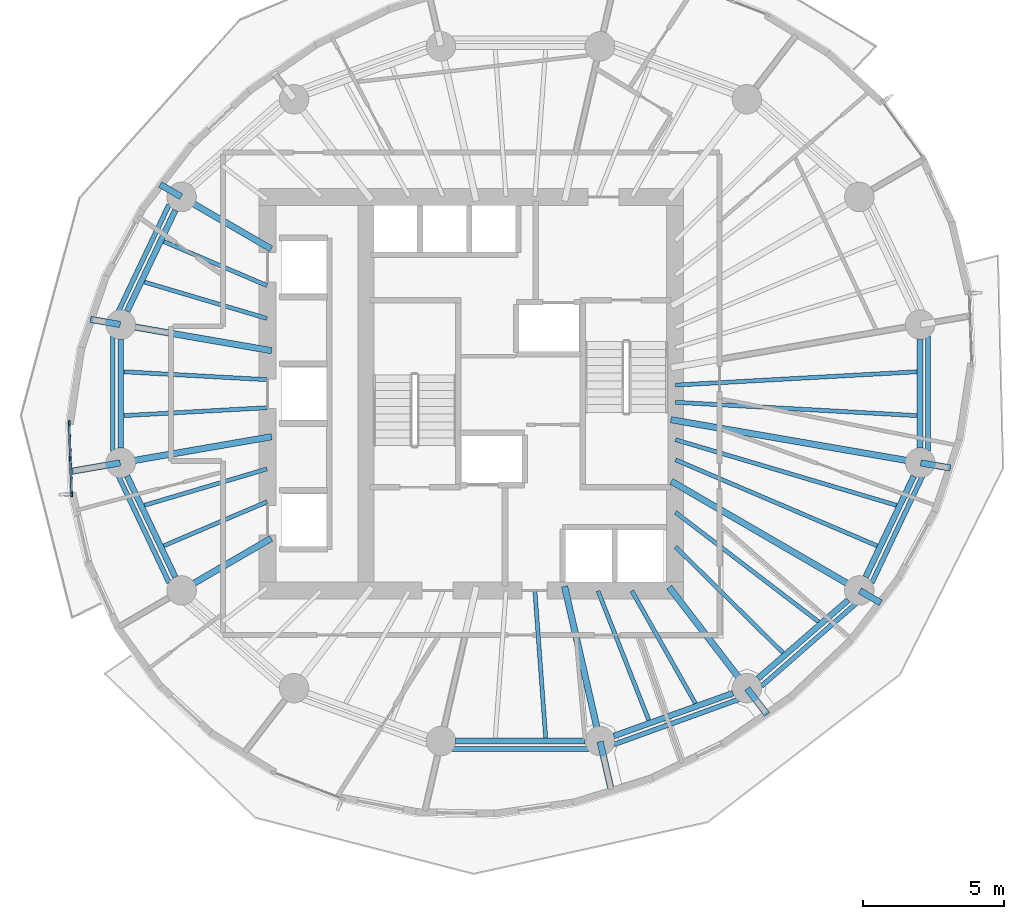
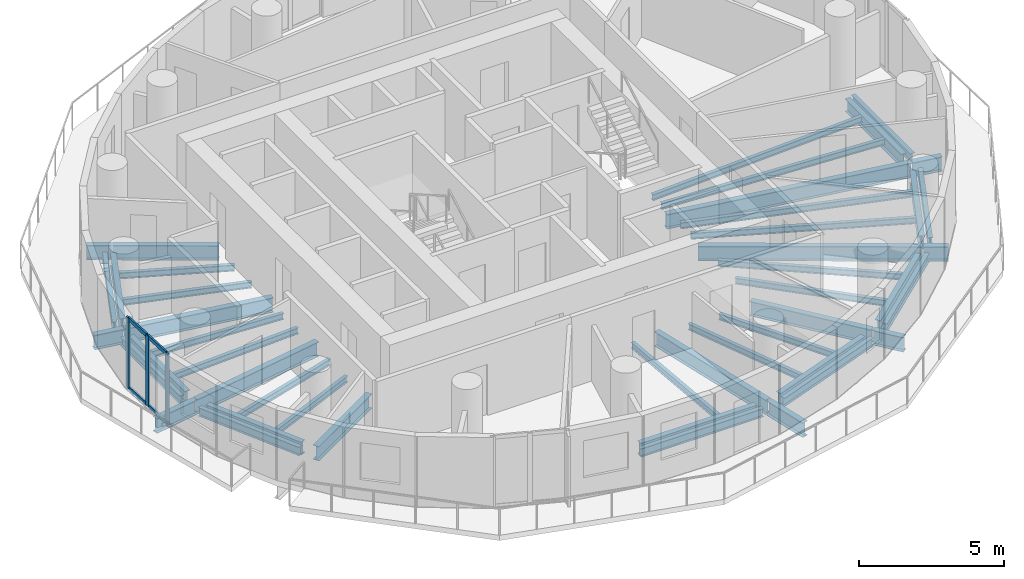
# One storey, part 2 of 14: 46 beams, 7 members, 1 element without a shape of its own.
"""IFC4 building model written with IfcOpenShell, lengths in metres."""

from ifc_helpers import new_model, si_unit, direction, frame, origin, origin_2d, place, context, subcontext, project, spatial, rectangle, i_section, extrude, material, material_profile, profile_set, type_object, element, aggregate, save


model = new_model("IFC4")

# Units and contexts
model_context = context("Model", 3, precision=1e-05, world=origin(), true_north=direction((0.0, 1.0)))
body_context = subcontext(model_context, "Body", "Model", "MODEL_VIEW")
ifc_project = project(units=[si_unit("LENGTHUNIT", "METRE"), si_unit("AREAUNIT", "SQUARE_METRE"), si_unit("VOLUMEUNIT", "CUBIC_METRE"), si_unit("PLANEANGLEUNIT", "RADIAN"), si_unit("MASSUNIT", "GRAM", prefix="KILO")], contexts=[model_context])

# Site, building, storey
site_placement = place(None, origin())
site = spatial("IfcSite", under=ifc_project, at=site_placement, CompositionType="ELEMENT")
building_placement = place(site_placement, origin())
building = spatial("IfcBuilding", under=site, at=building_placement, Name="Veldorim Arch Residences", CompositionType="ELEMENT")
storey_placement = place(building_placement, frame((0.0, 0.0, 123.360107421875)))
storey = spatial("IfcBuildingStorey", under=building, at=storey_placement, Name="L36", CompositionType="ELEMENT", Elevation=123.360107421875)

# Beams
ifc_material_1 = material(Name="Steel S355", Category="steel")
ifc_material_profile_1 = material_profile(ifc_material_1, i_section(OverallWidth=0.2099609375, OverallDepth=0.53662109375, WebThickness=0.0107421875, FlangeThickness=0.017333984375, at=origin_2d()), Name="UB533x210x101")
ifc_profile_set_1 = profile_set([ifc_material_profile_1], Name="Steel S355")
beam_type_1 = type_object("IfcBeamType", Name="Structural Steel Beam UB533x210x101", PredefinedType="BEAM", material=ifc_profile_set_1)
beam_1_placement = place(storey_placement, frame((19.7177734375, 30.5263671875, -0.50830078125), z_axis=(-0.43028577851, -0.902692721147, 0.0), x_axis=(0.902692721147, -0.43028577851, 0.0)))
element("IfcBeam", 1, at=beam_1_placement, inside=storey, type_object=beam_type_1, Name="L36 perimeter ring tie beam 07", PredefinedType="BEAM", context=body_context, shape_type="SweptSolid", body=[
    extrude(i_section(OverallWidth=0.2099609375, OverallDepth=0.53662109375, WebThickness=0.0107421875, FlangeThickness=0.017333984375, at=origin_2d()), origin(), (0.0, 0.0, 1.0), 3.98193359375),
])
beam_2_placement = place(storey_placement, frame((17.778564453125, 25.93310546875, -0.50830078125), z_axis=(0.0, -1.0, 0.0), x_axis=(1.0, 0.0, 0.0)))
element("IfcBeam", 2, at=beam_2_placement, inside=storey, type_object=beam_type_1, Name="L36 perimeter ring tie beam 08", PredefinedType="BEAM", context=body_context, shape_type="SweptSolid", body=[
    extrude(i_section(OverallWidth=0.2099609375, OverallDepth=0.53662109375, WebThickness=0.0107421875, FlangeThickness=0.017333984375, at=origin_2d()), origin(), (0.0, 0.0, 1.0), 3.8662109375),
])
beam_3_placement = place(storey_placement, frame((18.00439453125, 21.068115234375, -0.50830078125), z_axis=(0.43028577851, -0.902692721147, 0.0), x_axis=(0.902692721147, 0.43028577851, 0.0)))
element("IfcBeam", 3, at=beam_3_placement, inside=storey, type_object=beam_type_1, Name="L36 perimeter ring tie beam 09", PredefinedType="BEAM", context=body_context, shape_type="SweptSolid", body=[
    extrude(i_section(OverallWidth=0.2099609375, OverallDepth=0.53662109375, WebThickness=0.0107421875, FlangeThickness=0.017333984375, at=origin_2d()), origin(), (0.0, 0.0, 1.0), 3.98193359375),
])
beam_4_placement = place(storey_placement, frame((29.6962890625, 11.64208984375, -0.50830078125), z_axis=(1.0, 0.0, 0.0), x_axis=(0.0, 1.0, 0.0)))
element("IfcBeam", 4, at=beam_4_placement, inside=storey, type_object=beam_type_1, Name="L36 perimeter ring tie beam 12", PredefinedType="BEAM", context=body_context, shape_type="SweptSolid", body=[
    extrude(i_section(OverallWidth=0.2099609375, OverallDepth=0.53662109375, WebThickness=0.0107421875, FlangeThickness=0.017333984375, at=origin_2d()), origin(), (0.0, 0.0, 1.0), 4.607421875),
])
beam_5_placement = place(storey_placement, frame((35.32275390625, 11.81982421875, -0.50830078125), z_axis=(0.940899155006, 0.338686846673, 0.0), x_axis=(-0.338686846673, 0.940899155006, 0.0)))
element("IfcBeam", 5, at=beam_5_placement, inside=storey, type_object=beam_type_1, Name="L36 perimeter ring tie beam 13", PredefinedType="BEAM", context=body_context, shape_type="SweptSolid", body=[
    extrude(i_section(OverallWidth=0.2099609375, OverallDepth=0.53662109375, WebThickness=0.0107421875, FlangeThickness=0.017333984375, at=origin_2d()), origin(), (0.0, 0.0, 1.0), 4.50537109375),
])
beam_6_placement = place(storey_placement, frame((40.4521484375, 13.867919921875, -0.50830078125), z_axis=(0.754810789581, 0.655942582802, 0.0), x_axis=(-0.655942582802, 0.754810789581, 0.0)))
element("IfcBeam", 6, at=beam_6_placement, inside=storey, type_object=beam_type_1, Name="L36 perimeter ring tie beam 14", PredefinedType="BEAM", context=body_context, shape_type="SweptSolid", body=[
    extrude(i_section(OverallWidth=0.2099609375, OverallDepth=0.53662109375, WebThickness=0.0107421875, FlangeThickness=0.017333984375, at=origin_2d()), origin(), (0.0, 0.0, 1.0), 4.249755859375),
])
beam_7_placement = place(storey_placement, frame((44.2822265625, 17.4736328125, -0.50830078125), z_axis=(0.43028577851, 0.902692721147, 0.0), x_axis=(-0.902692721147, 0.43028577851, 0.0)))
element("IfcBeam", 7, at=beam_7_placement, inside=storey, type_object=beam_type_1, Name="L36 perimeter ring tie beam 15", PredefinedType="BEAM", context=body_context, shape_type="SweptSolid", body=[
    extrude(i_section(OverallWidth=0.2099609375, OverallDepth=0.53662109375, WebThickness=0.0107421875, FlangeThickness=0.017333984375, at=origin_2d()), origin(), (0.0, 0.0, 1.0), 3.98193359375),
])
beam_8_placement = place(storey_placement, frame((46.221435546875, 22.06689453125, -0.50830078125), z_axis=(0.0, 1.0, 0.0), x_axis=(-1.0, 0.0, 0.0)))
element("IfcBeam", 8, at=beam_8_placement, inside=storey, type_object=beam_type_1, Name="L36 perimeter ring tie beam 16", PredefinedType="BEAM", context=body_context, shape_type="SweptSolid", body=[
    extrude(i_section(OverallWidth=0.2099609375, OverallDepth=0.53662109375, WebThickness=0.0107421875, FlangeThickness=0.017333984375, at=origin_2d()), origin(), (0.0, 0.0, 1.0), 3.8662109375),
])
ifc_material_2 = material(Name="Steel S355", Category="steel")
ifc_material_profile_2 = material_profile(ifc_material_2, i_section(OverallWidth=0.22900390625, OverallDepth=0.6123046875, WebThickness=0.011962890625, FlangeThickness=0.01953125, at=origin_2d()), Name="UB610x229x125")
ifc_profile_set_2 = profile_set([ifc_material_profile_2], Name="Steel S355")
beam_type_2 = type_object("IfcBeamType", Name="Structural Steel Beam UB610x229x125", PredefinedType="BEAM", material=ifc_profile_set_2)
beam_9_placement = place(storey_placement, frame((23.129638671875, 29.150390625, -0.546142578125), z_axis=(-0.864794546612, 0.502125872815, 0.0), x_axis=(-0.502125872815, -0.864794546612, 0.0)))
element("IfcBeam", 9, at=beam_9_placement, inside=storey, type_object=beam_type_2, Name="L36 radial floor girder 07", PredefinedType="BEAM", context=body_context, shape_type="SweptSolid", body=[
    extrude(i_section(OverallWidth=0.22900390625, OverallDepth=0.6123046875, WebThickness=0.011962890625, FlangeThickness=0.01953125, at=origin_2d()), origin(), (0.0, 0.0, 1.0), 3.6640625),
])
beam_10_placement = place(storey_placement, frame((19.926513671875, 31.01025390625, -0.546142578125), z_axis=(-0.864900403911, 0.501943514067, 0.0), x_axis=(-0.501943514067, -0.864900403911, 0.0)))
element("IfcBeam", 10, at=beam_10_placement, inside=storey, type_object=beam_type_2, Name="L36 radial edge cantilever girder 07", PredefinedType="BEAM", context=body_context, shape_type="SweptSolid", body=[
    extrude(i_section(OverallWidth=0.22900390625, OverallDepth=0.6123046875, WebThickness=0.011962890625, FlangeThickness=0.01953125, at=origin_2d()), origin(), (0.0, 0.0, 1.0), 0.85888671875),
])
beam_11_placement = place(storey_placement, frame((23.147705078125, 25.530029296875, -0.546142578125), z_axis=(-0.985390445301, 0.170310511449, 0.0), x_axis=(-0.170310511449, -0.985390445301, 0.0)))
element("IfcBeam", 11, at=beam_11_placement, inside=storey, type_object=beam_type_2, Name="L36 radial floor girder 08", PredefinedType="BEAM", context=body_context, shape_type="SweptSolid", body=[
    extrude(i_section(OverallWidth=0.22900390625, OverallDepth=0.6123046875, WebThickness=0.011962890625, FlangeThickness=0.01953125, at=origin_2d()), origin(), (0.0, 0.0, 1.0), 5.4287109375),
])
beam_12_placement = place(storey_placement, frame((17.7587890625, 26.46142578125, -0.546142578125), z_axis=(-0.985387910853, 0.170325174727, 0.0), x_axis=(-0.170325174727, -0.985387910853, 0.0)))
element("IfcBeam", 12, at=beam_12_placement, inside=storey, type_object=beam_type_2, Name="L36 radial edge cantilever girder 08", PredefinedType="BEAM", context=body_context, shape_type="SweptSolid", body=[
    extrude(i_section(OverallWidth=0.22900390625, OverallDepth=0.6123046875, WebThickness=0.011962890625, FlangeThickness=0.01953125, at=origin_2d()), origin(), (0.0, 0.0, 1.0), 1.074951171875),
])
beam_13_placement = place(storey_placement, frame((23.147705078125, 22.469970703125, -0.546142578125), z_axis=(-0.985390445301, -0.170310511449, 0.0), x_axis=(0.170310511449, -0.985390445301, 0.0)))
element("IfcBeam", 13, at=beam_13_placement, inside=storey, type_object=beam_type_2, Name="L36 radial floor girder 09", PredefinedType="BEAM", context=body_context, shape_type="SweptSolid", body=[
    extrude(i_section(OverallWidth=0.22900390625, OverallDepth=0.6123046875, WebThickness=0.011962890625, FlangeThickness=0.01953125, at=origin_2d()), origin(), (0.0, 0.0, 1.0), 5.4287109375),
])
beam_14_placement = place(storey_placement, frame((17.7587890625, 21.53857421875, -0.546142578125), z_axis=(-0.985382949726, -0.170353874007, 0.0), x_axis=(0.170353874007, -0.985382949726, 0.0)))
element("IfcBeam", 14, at=beam_14_placement, inside=storey, type_object=beam_type_2, Name="L36 radial edge cantilever girder 09", PredefinedType="BEAM", context=body_context, shape_type="SweptSolid", body=[
    extrude(i_section(OverallWidth=0.22900390625, OverallDepth=0.6123046875, WebThickness=0.011962890625, FlangeThickness=0.01953125, at=origin_2d()), origin(), (0.0, 0.0, 1.0), 1.774169921875),
])
beam_15_placement = place(storey_placement, frame((23.129638671875, 18.849609375, -0.546142578125), z_axis=(-0.864794546612, -0.502125872815, 0.0), x_axis=(0.502125872815, -0.864794546612, 0.0)))
element("IfcBeam", 15, at=beam_15_placement, inside=storey, type_object=beam_type_2, Name="L36 radial floor girder 10", PredefinedType="BEAM", context=body_context, shape_type="SweptSolid", body=[
    extrude(i_section(OverallWidth=0.22900390625, OverallDepth=0.6123046875, WebThickness=0.011962890625, FlangeThickness=0.01953125, at=origin_2d()), origin(), (0.0, 0.0, 1.0), 3.6640625),
])
beam_16_placement = place(storey_placement, frame((33.56884765625, 17.146240234375, -0.546142578125), z_axis=(0.223119342184, -0.974791136164, 0.0), x_axis=(0.974791136164, 0.223119342184, 0.0)))
element("IfcBeam", 16, at=beam_16_placement, inside=storey, type_object=beam_type_2, Name="L36 radial floor girder 13", PredefinedType="BEAM", context=body_context, shape_type="SweptSolid", body=[
    extrude(i_section(OverallWidth=0.22900390625, OverallDepth=0.6123046875, WebThickness=0.011962890625, FlangeThickness=0.01953125, at=origin_2d()), origin(), (0.0, 0.0, 1.0), 5.62646484375),
])
beam_17_placement = place(storey_placement, frame((34.833251953125, 11.62255859375, -0.546142578125), z_axis=(0.223180402263, -0.974777158147, 0.0), x_axis=(0.974777158147, 0.223180402263, 0.0)))
element("IfcBeam", 17, at=beam_17_placement, inside=storey, type_object=beam_type_2, Name="L36 radial edge cantilever girder 13", PredefinedType="BEAM", context=body_context, shape_type="SweptSolid", body=[
    extrude(i_section(OverallWidth=0.22900390625, OverallDepth=0.6123046875, WebThickness=0.011962890625, FlangeThickness=0.01953125, at=origin_2d()), origin(), (0.0, 0.0, 1.0), 1.826904296875),
])
beam_18_placement = place(storey_placement, frame((37.291259765625, 17.118896484375, -0.546142578125), z_axis=(0.609559199361, -0.792740551804, 0.0), x_axis=(0.792740551804, 0.609559199361, 0.0)))
element("IfcBeam", 18, at=beam_18_placement, inside=storey, type_object=beam_type_2, Name="L36 radial floor girder 14", PredefinedType="BEAM", context=body_context, shape_type="SweptSolid", body=[
    extrude(i_section(OverallWidth=0.22900390625, OverallDepth=0.6123046875, WebThickness=0.011962890625, FlangeThickness=0.01953125, at=origin_2d()), origin(), (0.0, 0.0, 1.0), 4.515380859375),
])
beam_19_placement = place(storey_placement, frame((40.068115234375, 13.507568359375, -0.546142578125), z_axis=(0.609538125584, -0.792756755543, 0.0), x_axis=(0.792756755543, 0.609538125584, 0.0)))
element("IfcBeam", 19, at=beam_19_placement, inside=storey, type_object=beam_type_2, Name="L36 radial edge cantilever girder 14", PredefinedType="BEAM", context=body_context, shape_type="SweptSolid", body=[
    extrude(i_section(OverallWidth=0.22900390625, OverallDepth=0.6123046875, WebThickness=0.011962890625, FlangeThickness=0.01953125, at=origin_2d()), origin(), (0.0, 0.0, 1.0), 1.161865234375),
])
beam_20_placement = place(storey_placement, frame((37.370361328125, 20.8818359375, -0.546142578125), z_axis=(0.864793381443, -0.502127879542, 0.0), x_axis=(0.502127879542, 0.864793381443, 0.0)))
element("IfcBeam", 20, at=beam_20_placement, inside=storey, type_object=beam_type_2, Name="L36 radial floor girder 15", PredefinedType="BEAM", context=body_context, shape_type="SweptSolid", body=[
    extrude(i_section(OverallWidth=0.22900390625, OverallDepth=0.6123046875, WebThickness=0.011962890625, FlangeThickness=0.01953125, at=origin_2d()), origin(), (0.0, 0.0, 1.0), 7.71142578125),
])
beam_21_placement = place(storey_placement, frame((44.073486328125, 16.98974609375, -0.546142578125), z_axis=(0.864900403911, -0.501943514067, 0.0), x_axis=(0.501943514067, 0.864900403911, 0.0)))
element("IfcBeam", 21, at=beam_21_placement, inside=storey, type_object=beam_type_2, Name="L36 radial edge cantilever girder 15", PredefinedType="BEAM", context=body_context, shape_type="SweptSolid", body=[
    extrude(i_section(OverallWidth=0.22900390625, OverallDepth=0.6123046875, WebThickness=0.011962890625, FlangeThickness=0.01953125, at=origin_2d()), origin(), (0.0, 0.0, 1.0), 0.85888671875),
])
beam_22_placement = place(storey_placement, frame((37.352294921875, 23.074951171875, -0.546142578125), z_axis=(0.985389398766, -0.170316566427, 0.0), x_axis=(0.170316566427, 0.985389398766, 0.0)))
element("IfcBeam", 22, at=beam_22_placement, inside=storey, type_object=beam_type_2, Name="L36 radial floor girder 16", PredefinedType="BEAM", context=body_context, shape_type="SweptSolid", body=[
    extrude(i_section(OverallWidth=0.22900390625, OverallDepth=0.6123046875, WebThickness=0.011962890625, FlangeThickness=0.01953125, at=origin_2d()), origin(), (0.0, 0.0, 1.0), 8.98046875),
])
beam_23_placement = place(storey_placement, frame((46.2412109375, 21.53857421875, -0.546142578125), z_axis=(0.985387910853, -0.170325174727, 0.0), x_axis=(0.170325174727, 0.985387910853, 0.0)))
element("IfcBeam", 23, at=beam_23_placement, inside=storey, type_object=beam_type_2, Name="L36 radial edge cantilever girder 16", PredefinedType="BEAM", context=body_context, shape_type="SweptSolid", body=[
    extrude(i_section(OverallWidth=0.22900390625, OverallDepth=0.6123046875, WebThickness=0.011962890625, FlangeThickness=0.01953125, at=origin_2d()), origin(), (0.0, 0.0, 1.0), 1.074951171875),
])
ifc_material_3 = material(Name="Steel S355", Category="steel")
ifc_material_profile_3 = material_profile(ifc_material_3, i_section(OverallWidth=0.146484375, OverallDepth=0.256103515625, WebThickness=0.00634765625, FlangeThickness=0.010986328125, at=origin_2d()), Name="UB254x146x37")
ifc_profile_set_3 = profile_set([ifc_material_profile_3], Name="Steel S355")
beam_type_3 = type_object("IfcBeamType", Name="Structural Steel Joist UB254x146x37", PredefinedType="JOIST", material=ifc_profile_set_3)
beam_24_placement = place(storey_placement, frame((22.981689453125, 27.84619140625, -0.3681640625), z_axis=(-0.919823469329, 0.392332493265, 0.0), x_axis=(-0.392332493265, -0.919823469329, 0.0)))
element("IfcBeam", 24, at=beam_24_placement, inside=storey, type_object=beam_type_3, Name="L36 secondary radial floor joist 07-1", PredefinedType="JOIST", context=body_context, shape_type="SweptSolid", body=[
    extrude(i_section(OverallWidth=0.146484375, OverallDepth=0.256103515625, WebThickness=0.00634765625, FlangeThickness=0.010986328125, at=origin_2d()), origin(), (0.0, 0.0, 1.0), 3.993896484375),
])
beam_25_placement = place(storey_placement, frame((22.980712890625, 26.677001953125, -0.3681640625), z_axis=(-0.95868163277, 0.284481154014, 0.0), x_axis=(-0.284481154014, -0.95868163277, 0.0)))
element("IfcBeam", 25, at=beam_25_placement, inside=storey, type_object=beam_type_3, Name="L36 secondary radial floor joist 07-2", PredefinedType="JOIST", context=body_context, shape_type="SweptSolid", body=[
    extrude(i_section(OverallWidth=0.146484375, OverallDepth=0.256103515625, WebThickness=0.00634765625, FlangeThickness=0.010986328125, at=origin_2d()), origin(), (0.0, 0.0, 1.0), 4.54931640625),
])
for number, where, z_axis, x_axis, name in (
    (26, (22.97998046875, 24.498779296875, -0.3681640625), (-0.998472994317, 0.055242009562, 0.0), (-0.055242009562, -0.998472994317, 0.0), "L36 secondary radial floor joist 08-1"),
    (27, (22.97998046875, 23.501220703125, -0.3681640625), (-0.998472994317, -0.055242009562, 0.0), (0.055242009562, -0.998472994317, 0.0), "L36 secondary radial floor joist 08-2"),
):
    element("IfcBeam", number, at=place(storey_placement, frame(where, z_axis=z_axis, x_axis=x_axis)), inside=storey, type_object=beam_type_3, Name=name, PredefinedType="JOIST", context=body_context, shape_type="SweptSolid", body=[
        extrude(i_section(OverallWidth=0.146484375, OverallDepth=0.256103515625, WebThickness=0.00634765625, FlangeThickness=0.010986328125, at=origin_2d()), origin(), (0.0, 0.0, 1.0), 5.10009765625),
    ])
beam_26_placement = place(storey_placement, frame((22.980712890625, 21.322998046875, -0.3681640625), z_axis=(-0.95868163277, -0.284481154014, 0.0), x_axis=(0.284481154014, -0.95868163277, 0.0)))
element("IfcBeam", 28, at=beam_26_placement, inside=storey, type_object=beam_type_3, Name="L36 secondary radial floor joist 09-1", PredefinedType="JOIST", context=body_context, shape_type="SweptSolid", body=[
    extrude(i_section(OverallWidth=0.146484375, OverallDepth=0.256103515625, WebThickness=0.00634765625, FlangeThickness=0.010986328125, at=origin_2d()), origin(), (0.0, 0.0, 1.0), 4.54931640625),
])
beam_27_placement = place(storey_placement, frame((22.981689453125, 20.15380859375, -0.3681640625), z_axis=(-0.919823469329, -0.392332493265, 0.0), x_axis=(0.392332493265, -0.919823469329, 0.0)))
element("IfcBeam", 29, at=beam_27_placement, inside=storey, type_object=beam_type_3, Name="L36 secondary radial floor joist 09-2", PredefinedType="JOIST", context=body_context, shape_type="SweptSolid", body=[
    extrude(i_section(OverallWidth=0.146484375, OverallDepth=0.256103515625, WebThickness=0.00634765625, FlangeThickness=0.010986328125, at=origin_2d()), origin(), (0.0, 0.0, 1.0), 3.993896484375),
])
beam_28_placement = place(storey_placement, frame((32.51416015625, 16.97998046875, -0.3681640625), z_axis=(0.073060364166, -0.997327520521, 0.0), x_axis=(0.997327520521, 0.073060364166, 0.0)))
element("IfcBeam", 30, at=beam_28_placement, inside=storey, type_object=beam_type_3, Name="L36 secondary radial floor joist 12-2", PredefinedType="JOIST", context=body_context, shape_type="SweptSolid", body=[
    extrude(i_section(OverallWidth=0.146484375, OverallDepth=0.256103515625, WebThickness=0.00634765625, FlangeThickness=0.010986328125, at=origin_2d()), origin(), (0.0, 0.0, 1.0), 5.242919921875),
])
beam_29_placement = place(storey_placement, frame((34.7587890625, 16.9814453125, -0.3681640625), z_axis=(0.365777738491, -0.930702232739, 0.0), x_axis=(0.930702232739, 0.365777738491, 0.0)))
element("IfcBeam", 31, at=beam_29_placement, inside=storey, type_object=beam_type_3, Name="L36 secondary radial floor joist 13-1", PredefinedType="JOIST", context=body_context, shape_type="SweptSolid", body=[
    extrude(i_section(OverallWidth=0.146484375, OverallDepth=0.256103515625, WebThickness=0.00634765625, FlangeThickness=0.010986328125, at=origin_2d()), origin(), (0.0, 0.0, 1.0), 4.9404296875),
])
beam_30_placement = place(storey_placement, frame((35.96337890625, 16.982666015625, -0.3681640625), z_axis=(0.491815801586, -0.870699269157, 0.0), x_axis=(0.870699269157, 0.491815801586, 0.0)))
element("IfcBeam", 32, at=beam_30_placement, inside=storey, type_object=beam_type_3, Name="L36 secondary radial floor joist 13-2", PredefinedType="JOIST", context=body_context, shape_type="SweptSolid", body=[
    extrude(i_section(OverallWidth=0.146484375, OverallDepth=0.256103515625, WebThickness=0.00634765625, FlangeThickness=0.010986328125, at=origin_2d()), origin(), (0.0, 0.0, 1.0), 4.59814453125),
])
beam_31_placement = place(storey_placement, frame((37.51416015625, 18.556884765625, -0.3681640625), z_axis=(0.711703457158, -0.702480027523, 0.0), x_axis=(0.702480027523, 0.711703457158, 0.0)))
element("IfcBeam", 33, at=beam_31_placement, inside=storey, type_object=beam_type_3, Name="L36 secondary radial floor joist 14-1", PredefinedType="JOIST", context=body_context, shape_type="SweptSolid", body=[
    extrude(i_section(OverallWidth=0.146484375, OverallDepth=0.256103515625, WebThickness=0.00634765625, FlangeThickness=0.010986328125, at=origin_2d()), origin(), (0.0, 0.0, 1.0), 5.373291015625),
])
beam_32_placement = place(storey_placement, frame((37.515869140625, 19.780517578125, -0.3681640625), z_axis=(0.794267053144, -0.607568801281, 0.0), x_axis=(0.607568801281, 0.794267053144, 0.0)))
element("IfcBeam", 34, at=beam_32_placement, inside=storey, type_object=beam_type_3, Name="L36 secondary radial floor joist 14-2", PredefinedType="JOIST", context=body_context, shape_type="SweptSolid", body=[
    extrude(i_section(OverallWidth=0.146484375, OverallDepth=0.256103515625, WebThickness=0.00634765625, FlangeThickness=0.010986328125, at=origin_2d()), origin(), (0.0, 0.0, 1.0), 6.412841796875),
])
beam_33_placement = place(storey_placement, frame((37.518310546875, 21.646484375, -0.3681640625), z_axis=(0.919831795434, -0.39231297214, 0.0), x_axis=(0.39231297214, 0.919831795434, 0.0)))
element("IfcBeam", 35, at=beam_33_placement, inside=storey, type_object=beam_type_3, Name="L36 secondary radial floor joist 15-1", PredefinedType="JOIST", context=body_context, shape_type="SweptSolid", body=[
    extrude(i_section(OverallWidth=0.146484375, OverallDepth=0.256103515625, WebThickness=0.00634765625, FlangeThickness=0.010986328125, at=origin_2d()), origin(), (0.0, 0.0, 1.0), 7.798828125),
])
beam_34_placement = place(storey_placement, frame((37.519287109375, 22.36181640625, -0.3681640625), z_axis=(0.958674276305, -0.284505943614, 0.0), x_axis=(0.284505943614, 0.958674276305, 0.0)))
element("IfcBeam", 36, at=beam_34_placement, inside=storey, type_object=beam_type_3, Name="L36 secondary radial floor joist 15-2", PredefinedType="JOIST", context=body_context, shape_type="SweptSolid", body=[
    extrude(i_section(OverallWidth=0.146484375, OverallDepth=0.256103515625, WebThickness=0.00634765625, FlangeThickness=0.010986328125, at=origin_2d()), origin(), (0.0, 0.0, 1.0), 8.2001953125),
])
for number, where, z_axis, x_axis, name in (
    (37, (37.52001953125, 23.694580078125, -0.3681640625), (0.998474809964, -0.055209182821, 0.0), (0.055209182821, 0.998474809964, 0.0), "L36 secondary radial floor joist 16-1"),
    (38, (37.52001953125, 24.305419921875, -0.3681640625), (0.998474809964, 0.055209182821, 0.0), (-0.055209182821, 0.998474809964, 0.0), "L36 secondary radial floor joist 16-2"),
):
    element("IfcBeam", number, at=place(storey_placement, frame(where, z_axis=z_axis, x_axis=x_axis)), inside=storey, type_object=beam_type_3, Name=name, PredefinedType="JOIST", context=body_context, shape_type="SweptSolid", body=[
        extrude(i_section(OverallWidth=0.146484375, OverallDepth=0.256103515625, WebThickness=0.00634765625, FlangeThickness=0.010986328125, at=origin_2d()), origin(), (0.0, 0.0, 1.0), 8.60546875),
    ])
ifc_material_4 = material(Name="Steel S355", Category="steel")
ifc_material_profile_4 = material_profile(ifc_material_4, i_section(OverallWidth=0.172119140625, OverallDepth=0.35791015625, WebThickness=0.008056640625, FlangeThickness=0.012939453125, at=origin_2d()), Name="UB356x171x57")
ifc_profile_set_4 = profile_set([ifc_material_profile_4], Name="Steel S355")
beam_type_4 = type_object("IfcBeamType", Name="Structural Steel Spandrel UB356x171x57", PredefinedType="SPANDREL", material=ifc_profile_set_4)
beam_35_placement = place(storey_placement, frame((19.49609375, 30.727783203125, -0.439208984375), z_axis=(-0.428579957662, -0.903503857153, 0.0), x_axis=(0.903503857153, -0.428579957662, 0.0)))
element("IfcBeam", 39, at=beam_35_placement, inside=storey, type_object=beam_type_4, Name="L36 perimeter chord spandrel beam 07", PredefinedType="SPANDREL", context=body_context, shape_type="SweptSolid", body=[
    extrude(i_section(OverallWidth=0.172119140625, OverallDepth=0.35791015625, WebThickness=0.008056640625, FlangeThickness=0.012939453125, at=origin_2d()), origin(), (0.0, 0.0, 1.0), 4.209228515625),
])
beam_36_placement = place(storey_placement, frame((17.494140625, 26.04541015625, -0.439208984375), z_axis=(0.0, -1.0, 0.0), x_axis=(1.0, 0.0, 0.0)))
element("IfcBeam", 40, at=beam_36_placement, inside=storey, type_object=beam_type_4, Name="L36 perimeter chord spandrel beam 08", PredefinedType="SPANDREL", context=body_context, shape_type="SweptSolid", body=[
    extrude(i_section(OverallWidth=0.172119140625, OverallDepth=0.35791015625, WebThickness=0.008056640625, FlangeThickness=0.012939453125, at=origin_2d()), origin(), (0.0, 0.0, 1.0), 4.0908203125),
])
beam_37_placement = place(storey_placement, frame((17.692138671875, 21.0751953125, -0.439208984375), z_axis=(0.428579957662, -0.903503857153, 0.0), x_axis=(0.903503857153, 0.428579957662, 0.0)))
element("IfcBeam", 41, at=beam_37_placement, inside=storey, type_object=beam_type_4, Name="L36 perimeter chord spandrel beam 09", PredefinedType="SPANDREL", context=body_context, shape_type="SweptSolid", body=[
    extrude(i_section(OverallWidth=0.172119140625, OverallDepth=0.35791015625, WebThickness=0.008056640625, FlangeThickness=0.012939453125, at=origin_2d()), origin(), (0.0, 0.0, 1.0), 4.209228515625),
])
beam_38_placement = place(storey_placement, frame((29.56884765625, 11.360595703125, -0.439208984375), z_axis=(1.0, 0.0, 0.0), x_axis=(0.0, 1.0, 0.0)))
element("IfcBeam", 42, at=beam_38_placement, inside=storey, type_object=beam_type_4, Name="L36 perimeter chord spandrel beam 12", PredefinedType="SPANDREL", context=body_context, shape_type="SweptSolid", body=[
    extrude(i_section(OverallWidth=0.172119140625, OverallDepth=0.35791015625, WebThickness=0.008056640625, FlangeThickness=0.012939453125, at=origin_2d()), origin(), (0.0, 0.0, 1.0), 4.8623046875),
])
beam_39_placement = place(storey_placement, frame((35.32763671875, 11.51806640625, -0.439208984375), z_axis=(0.940212553113, 0.340588248429, 0.0), x_axis=(-0.340588248429, 0.940212553113, 0.0)))
element("IfcBeam", 43, at=beam_39_placement, inside=storey, type_object=beam_type_4, Name="L36 perimeter chord spandrel beam 13", PredefinedType="SPANDREL", context=body_context, shape_type="SweptSolid", body=[
    extrude(i_section(OverallWidth=0.172119140625, OverallDepth=0.35791015625, WebThickness=0.008056640625, FlangeThickness=0.012939453125, at=origin_2d()), origin(), (0.0, 0.0, 1.0), 4.75390625),
])
beam_40_placement = place(storey_placement, frame((40.57958984375, 13.5986328125, -0.439208984375), z_axis=(0.753014748982, 0.658003638148, 0.0), x_axis=(-0.658003638148, 0.753014748982, 0.0)))
element("IfcBeam", 44, at=beam_40_placement, inside=storey, type_object=beam_type_4, Name="L36 perimeter chord spandrel beam 14", PredefinedType="SPANDREL", context=body_context, shape_type="SweptSolid", body=[
    extrude(i_section(OverallWidth=0.172119140625, OverallDepth=0.35791015625, WebThickness=0.008056640625, FlangeThickness=0.012939453125, at=origin_2d()), origin(), (0.0, 0.0, 1.0), 4.486572265625),
])
beam_41_placement = place(storey_placement, frame((44.50390625, 17.272216796875, -0.439208984375), z_axis=(0.428579957662, 0.903503857153, 0.0), x_axis=(-0.903503857153, 0.428579957662, 0.0)))
element("IfcBeam", 45, at=beam_41_placement, inside=storey, type_object=beam_type_4, Name="L36 perimeter chord spandrel beam 15", PredefinedType="SPANDREL", context=body_context, shape_type="SweptSolid", body=[
    extrude(i_section(OverallWidth=0.172119140625, OverallDepth=0.35791015625, WebThickness=0.008056640625, FlangeThickness=0.012939453125, at=origin_2d()), origin(), (0.0, 0.0, 1.0), 4.209228515625),
])
beam_42_placement = place(storey_placement, frame((46.505859375, 21.95458984375, -0.439208984375), z_axis=(0.0, 1.0, 0.0), x_axis=(-1.0, 0.0, 0.0)))
element("IfcBeam", 46, at=beam_42_placement, inside=storey, type_object=beam_type_4, Name="L36 perimeter chord spandrel beam 16", PredefinedType="SPANDREL", context=body_context, shape_type="SweptSolid", body=[
    extrude(i_section(OverallWidth=0.172119140625, OverallDepth=0.35791015625, WebThickness=0.008056640625, FlangeThickness=0.012939453125, at=origin_2d()), origin(), (0.0, 0.0, 1.0), 4.0908203125),
])

# Curtain wall, members
ifc_material_5 = material(Name="Aluminium", Category="aluminium")
curtain_wall_type = type_object("IfcCurtainWallType", Name="Zone 3 High-Wind Unitised Curtain Wall", PredefinedType="NOTDEFINED", material=ifc_material_5)
curtain_wall_placement = place(storey_placement, origin())
curtain_wall = element("IfcCurtainWall", 47, at=curtain_wall_placement, inside=storey, type_object=curtain_wall_type, Name="L36 unitised curtain wall bay 16", PredefinedType="NOTDEFINED")
ifc_material_6 = material(Name="Aluminium", Category="aluminium")
ifc_material_profile_5 = material_profile(ifc_material_6, rectangle(XDim=0.070068359375, YDim=0.179931640625, at=origin_2d()), Name="ALU_MUL_70x180")
ifc_profile_set_5 = profile_set([ifc_material_profile_5], Name="Aluminium")
member_type_1 = type_object("IfcMemberType", Name="Zone 3 High-Wind Unitised Curtain Wall Mullion 70x180", PredefinedType="MULLION", material=ifc_profile_set_5)
member_1_placement = place(storey_placement, frame((16.0302734375, 20.42529296875, 0.0), z_axis=(0.0, 0.0, 1.0), x_axis=(-0.999369736243, -0.035498313784, 0.0)))
member_1 = element("IfcMember", 48, at=member_1_placement, type_object=member_type_1, Name="CW-Z3 mullion 1", PredefinedType="MULLION", context=body_context, shape_type="SweptSolid", body=[
    extrude(rectangle(XDim=0.070068359375, YDim=0.179931640625, at=origin_2d()), origin(), (0.0, 0.0, 1.0), 2.9599609375),
])
member_2_placement = place(storey_placement, frame((15.985107421875, 21.69091796875, 0.0), z_axis=(0.0, 0.0, 1.0), x_axis=(-0.999369736243, -0.035498313784, 0.0)))
member_2 = element("IfcMember", 49, at=member_2_placement, type_object=member_type_1, Name="CW-Z3 mullion 2", PredefinedType="MULLION", context=body_context, shape_type="SweptSolid", body=[
    extrude(rectangle(XDim=0.070068359375, YDim=0.179931640625, at=origin_2d()), origin(), (0.0, 0.0, 1.0), 2.9599609375),
])
member_3_placement = place(storey_placement, frame((15.940185546875, 22.95654296875, 0.0), z_axis=(0.0, 0.0, 1.0), x_axis=(-0.999369736243, -0.035498313784, 0.0)))
member_3 = element("IfcMember", 50, at=member_3_placement, type_object=member_type_1, Name="CW-Z3 mullion 3", PredefinedType="MULLION", context=body_context, shape_type="SweptSolid", body=[
    extrude(rectangle(XDim=0.070068359375, YDim=0.179931640625, at=origin_2d()), origin(), (0.0, 0.0, 1.0), 2.9599609375),
])
ifc_material_7 = material(Name="Aluminium", Category="aluminium")
ifc_material_profile_6 = material_profile(ifc_material_7, rectangle(XDim=0.070068359375, YDim=0.155029296875, at=origin_2d()), Name="ALU_TRN_70x155")
ifc_profile_set_6 = profile_set([ifc_material_profile_6], Name="Aluminium")
member_type_2 = type_object("IfcMemberType", Name="Zone 3 High-Wind Unitised Curtain Wall Transom 70x155", PredefinedType="USERDEFINED", material=ifc_profile_set_6)
member_4_placement = place(storey_placement, frame((16.02880859375, 20.460205078125, 0.034912109375), z_axis=(-0.035502308986, 0.999369594323, 0.0), x_axis=(-0.999369594323, -0.035502308986, 0.0)))
member_4 = element("IfcMember", 51, at=member_4_placement, type_object=member_type_2, Name="CW-Z3 transom 1.1", ObjectType="TRANSOM", PredefinedType="USERDEFINED", context=body_context, shape_type="SweptSolid", body=[
    extrude(rectangle(XDim=0.070068359375, YDim=0.155029296875, at=origin_2d()), origin(), (0.0, 0.0, 1.0), 1.196533203125),
])
member_5_placement = place(storey_placement, frame((16.02880859375, 20.460205078125, 2.9248046875), z_axis=(-0.035502308986, 0.999369594323, 0.0), x_axis=(-0.999369594323, -0.035502308986, 0.0)))
member_5 = element("IfcMember", 52, at=member_5_placement, type_object=member_type_2, Name="CW-Z3 transom 1.2", ObjectType="TRANSOM", PredefinedType="USERDEFINED", context=body_context, shape_type="SweptSolid", body=[
    extrude(rectangle(XDim=0.070068359375, YDim=0.155029296875, at=origin_2d()), origin(), (0.0, 0.0, 1.0), 1.196533203125),
])
member_6_placement = place(storey_placement, frame((15.98388671875, 21.725830078125, 0.034912109375), z_axis=(-0.035502308986, 0.999369594323, 0.0), x_axis=(-0.999369594323, -0.035502308986, 0.0)))
member_6 = element("IfcMember", 53, at=member_6_placement, type_object=member_type_2, Name="CW-Z3 transom 2.1", ObjectType="TRANSOM", PredefinedType="USERDEFINED", context=body_context, shape_type="SweptSolid", body=[
    extrude(rectangle(XDim=0.070068359375, YDim=0.155029296875, at=origin_2d()), origin(), (0.0, 0.0, 1.0), 1.196533203125),
])
member_7_placement = place(storey_placement, frame((15.98388671875, 21.725830078125, 2.9248046875), z_axis=(-0.035502308986, 0.999369594323, 0.0), x_axis=(-0.999369594323, -0.035502308986, 0.0)))
member_7 = element("IfcMember", 54, at=member_7_placement, type_object=member_type_2, Name="CW-Z3 transom 2.2", ObjectType="TRANSOM", PredefinedType="USERDEFINED", context=body_context, shape_type="SweptSolid", body=[
    extrude(rectangle(XDim=0.070068359375, YDim=0.155029296875, at=origin_2d()), origin(), (0.0, 0.0, 1.0), 1.196533203125),
])
aggregate(curtain_wall, [member_1, member_2, member_3, member_4, member_5, member_6, member_7])

save(model, "model.ifc")
